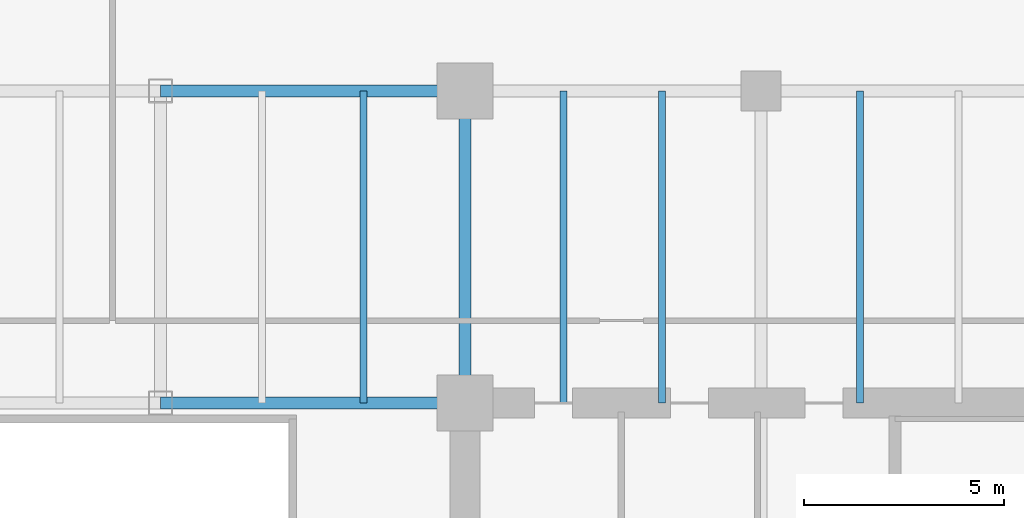
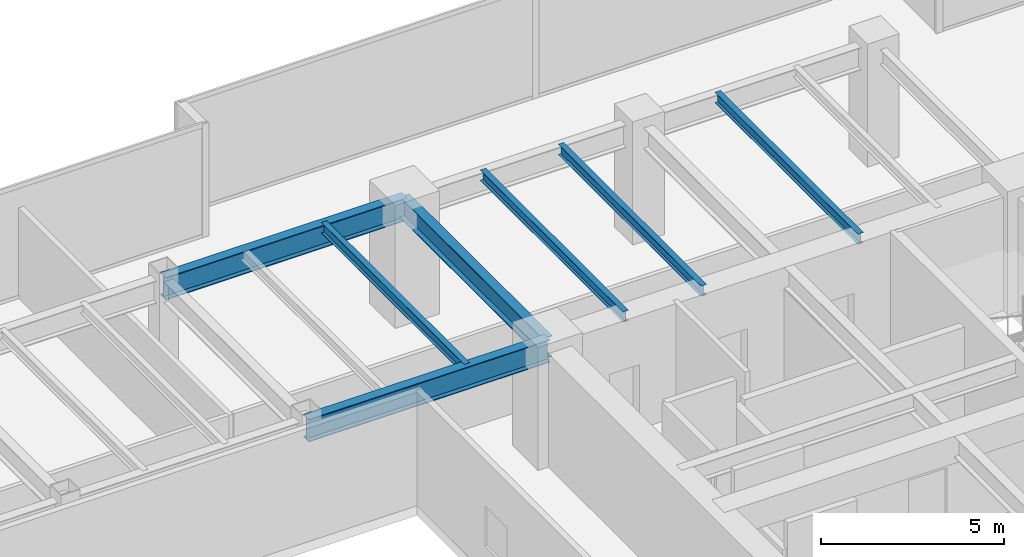
# One storey, part 19 of 35: 7 beams.
"""IFC4 building model written with IfcOpenShell, lengths in metres."""

import ifcopenshell
import ifcopenshell.guid

model = None  # the IFC model being written
_history = None  # IfcOwnerHistory: only IFC2X3 demands one
_inside = {}  # id of a spatial element -> (the spatial element, [elements in it])
_under = {}  # id of a project, library or spatial element -> (it, [spatial elements below it])
_declared = {}  # id of a project -> (the project, [libraries it declares])
_typed = {}  # id of a type object -> (the type object, [elements of that type])
_made_of = {}  # id of a material, layer set ... -> (it, [elements and type objects made of it])


def new_model(schema):
    """Start an empty IFC model of exactly this schema.

    Asked for "IFC4X3", IfcOpenShell would pick the latest addendum, in which some entities
    have other attributes; the version numbers below select the first issue.
    IFC2X3 requires an IfcOwnerHistory on every rooted entity: one is made here for all.
    """
    global model, _history
    if schema == "IFC4X3":
        model = ifcopenshell.file(schema_version=(4, 3, 0, 0))
    else:
        model = ifcopenshell.file(schema=schema)
    _inside.clear()
    _under.clear()
    _declared.clear()
    _typed.clear()
    _made_of.clear()
    _history = None
    if model.schema == "IFC2X3":
        org = make("IfcOrganization", Name="unknown")
        user = make(
            "IfcPersonAndOrganization",
            ThePerson=make("IfcPerson", FamilyName="unknown"),
            TheOrganization=org,
        )
        app = make(
            "IfcApplication",
            ApplicationDeveloper=org,
            Version="unknown",
            ApplicationFullName="unknown",
            ApplicationIdentifier="unknown",
        )
        _history = make(
            "IfcOwnerHistory",
            OwningUser=user,
            OwningApplication=app,
            ChangeAction="ADDED",
            CreationDate=0,
        )
    return model


def make(cls, **values):
    """One entity of the class cls with the attributes given. An attribute that is None is left unset."""
    return model.create_entity(
        cls, **{name: value for name, value in values.items() if value is not None}
    )


def rooted(cls, **values):
    """An entity with a GlobalId (a new one), such as an element, a storey or a relation."""
    return make(cls, GlobalId=ifcopenshell.guid.new(), OwnerHistory=_history, **values)


def si_unit(unit_type, name, prefix=None):
    """IfcSIUnit, for example si_unit("LENGTHUNIT", "METRE", prefix="MILLI")."""
    return make("IfcSIUnit", UnitType=unit_type, Prefix=prefix, Name=name)


def assignment(units):
    """IfcUnitAssignment: the units of a project."""
    return None if units is None else make("IfcUnitAssignment", Units=units)


def point(xyz):
    """IfcCartesianPoint."""
    return None if xyz is None else make("IfcCartesianPoint", Coordinates=xyz)


def direction(xyz):
    """IfcDirection."""
    return None if xyz is None else make("IfcDirection", DirectionRatios=xyz)


def frame(location, z_axis=None, x_axis=None):
    """IfcAxis2Placement3D, a coordinate frame: its origin and axes. An axis left out is left unset."""
    return make(
        "IfcAxis2Placement3D",
        Location=point(location),
        Axis=direction(z_axis),
        RefDirection=direction(x_axis),
    )


def frame_2d(location, x_axis=None):
    """IfcAxis2Placement2D, a coordinate frame in the plane: its origin and x axis."""
    return make(
        "IfcAxis2Placement2D", Location=point(location), RefDirection=direction(x_axis)
    )


def origin():
    """The frame at (0, 0, 0) with its axes left unset."""
    return frame((0.0, 0.0, 0.0))


def origin_2d():
    """The frame at (0, 0) in the plane with its x axis left unset."""
    return frame_2d((0.0, 0.0))


def place(relative_to, where):
    """IfcLocalPlacement: puts the frame where relative to a parent placement (None: the world)."""
    return make(
        "IfcLocalPlacement", PlacementRelTo=relative_to, RelativePlacement=where
    )


def context(
    kind, dimensions, precision=None, world=None, true_north=None, identifier=None
):
    """IfcGeometricRepresentationContext, for example the 3D "Model" context."""
    return make(
        "IfcGeometricRepresentationContext",
        ContextIdentifier=identifier,
        ContextType=kind,
        CoordinateSpaceDimension=dimensions,
        Precision=precision,
        WorldCoordinateSystem=world,
        TrueNorth=true_north,
    )


def subcontext(parent, identifier, kind, view, scale=None):
    """IfcGeometricRepresentationSubContext, for example "Body" below "Model"."""
    return make(
        "IfcGeometricRepresentationSubContext",
        ContextIdentifier=identifier,
        ContextType=kind,
        ParentContext=parent,
        TargetScale=scale,
        TargetView=view,
    )


def project(units=None, contexts=None):
    """IfcProject with its units and contexts."""
    return rooted(
        "IfcProject",
        Name="project",
        RepresentationContexts=contexts,
        UnitsInContext=assignment(units),
    )


def spatial(cls, under=None, at=None, **own):
    """A site, building, storey or space (cls), placed at a placement, below another one or the project."""
    s = rooted(cls, ObjectPlacement=at, **own)
    if under is not None:
        _under.setdefault(under.id(), (under, []))[1].append(s)
    return s


def profile(cls, at=None, kind="AREA", **sizes):
    """A parametric profile (cls). Its sizes go by their IFC names, for example OverallWidth=200.0."""
    return make(cls, ProfileType=kind, Position=at, **sizes)


def i_section(**sizes):
    """IfcIShapeProfileDef."""
    return profile("IfcIShapeProfileDef", **sizes)


def extrude(swept, where, along, depth):
    """IfcExtrudedAreaSolid: the profile swept, set in the frame where, extruded along a direction by depth."""
    return make(
        "IfcExtrudedAreaSolid",
        SweptArea=swept,
        Position=where,
        ExtrudedDirection=direction(along),
        Depth=depth,
    )


def shape(context_of_items, identifier, shape_type, items):
    """IfcShapeRepresentation: the items that make up one representation, for example the "Body"."""
    return make(
        "IfcShapeRepresentation",
        ContextOfItems=context_of_items,
        RepresentationIdentifier=identifier,
        RepresentationType=shape_type,
        Items=items,
    )


def source(mapping_origin, context_of_items, identifier, shape_type, items):
    """IfcRepresentationMap: a shape defined once, which mapped items show again and again."""
    return make(
        "IfcRepresentationMap",
        MappingOrigin=mapping_origin,
        MappedRepresentation=shape(context_of_items, identifier, shape_type, items),
    )


def transform(
    local_origin,
    x_axis=None,
    y_axis=None,
    z_axis=None,
    scale=None,
    scale2=None,
    scale3=None,
    uniform=True,
):
    """IfcCartesianTransformationOperator3D, or its non-uniform kind. x_axis, y_axis, z_axis: its Axis1, 2, 3."""
    if uniform:
        return make(
            "IfcCartesianTransformationOperator3D",
            Axis1=direction(x_axis),
            Axis2=direction(y_axis),
            LocalOrigin=point(local_origin),
            Scale=scale,
            Axis3=direction(z_axis),
        )
    return make(
        "IfcCartesianTransformationOperator3DnonUniform",
        Axis1=direction(x_axis),
        Axis2=direction(y_axis),
        LocalOrigin=point(local_origin),
        Scale=scale,
        Axis3=direction(z_axis),
        Scale2=scale2,
        Scale3=scale3,
    )


def mapped(mapping_source, mapping_target):
    """IfcMappedItem: shows the shape of a source again, moved by a transform."""
    return make(
        "IfcMappedItem", MappingSource=mapping_source, MappingTarget=mapping_target
    )


def material(Name=None, Category=None):
    """IfcMaterial."""
    return make("IfcMaterial", Name=Name, Category=Category)


def material_profile(
    of_material, cross_section, Name=None, Category=None, Priority=None
):
    """IfcMaterialProfile: a cross section and its material."""
    return make(
        "IfcMaterialProfile",
        Name=Name,
        Material=of_material,
        Profile=cross_section,
        Priority=Priority,
        Category=Category,
    )


def profile_set(profiles, Name=None, composite=None):
    """IfcMaterialProfileSet."""
    return make(
        "IfcMaterialProfileSet",
        Name=Name,
        MaterialProfiles=profiles,
        CompositeProfile=composite,
    )


def made_of(thing, what):
    """Note that an element or type object is made of a material, layer set ...; save() writes the relation."""
    if what is not None:
        _made_of.setdefault(what.id(), (what, []))[1].append(thing)
    return thing


def type_object(cls, material=None, **own):
    """A type object (cls), such as IfcWallType, which elements share."""
    return made_of(rooted(cls, **own), material)


def type_shapes(of_type, sources):
    """Give a type object the sources (RepresentationMaps) that its elements show as mapped items."""
    of_type.RepresentationMaps = sources


def element(
    cls,
    number,
    at=None,
    inside=None,
    cuts=None,
    type_object=None,
    material=None,
    context=None,
    identifier="Body",
    shape_type=None,
    held_by="IfcProductDefinitionShape",
    body=None,
    shapes=None,
    **own,
):
    """One element of the class cls, such as IfcWall. Its Tag is "e" and its number.

    at: its placement. inside: the storey or other place that contains it. cuts: it is an
    opening in that element (IfcRelVoidsElement). A single representation is given by context,
    identifier, shape_type and body (its items); several are given by shapes. held_by: the class
    of the entity that holds the representations. save() writes the other relations.
    """
    e = rooted(cls, Tag="e%d" % number, ObjectPlacement=at, **own)
    if body is not None:
        shapes = [shape(context, identifier, shape_type, body)]
    if shapes is not None:
        e.Representation = make(held_by, Representations=shapes)
    if inside is not None:
        _inside.setdefault(inside.id(), (inside, []))[1].append(e)
    if cuts is not None:
        rooted(
            "IfcRelVoidsElement", RelatingBuildingElement=cuts, RelatedOpeningElement=e
        )
    if type_object is not None:
        _typed.setdefault(type_object.id(), (type_object, []))[1].append(e)
    return made_of(e, material)


def aggregate(whole, parts):
    """IfcRelAggregates: a whole, such as a stair, and the parts it consists of."""
    return rooted("IfcRelAggregates", RelatingObject=whole, RelatedObjects=parts)


def save(model, path):
    """Write the relations noted so far, then the file.

    IfcRelAggregates (storeys below a building ...), IfcRelContainedInSpatialStructure (elements
    in a storey), IfcRelDefinesByType, IfcRelAssociatesMaterial and IfcRelDeclares: one each for
    every whole, place, type object, material and project.
    """
    for whole, parts in _under.values():
        aggregate(whole, parts)
    for where, things in _inside.values():
        rooted(
            "IfcRelContainedInSpatialStructure",
            RelatedElements=things,
            RelatingStructure=where,
        )
    for kind, things in _typed.values():
        rooted("IfcRelDefinesByType", RelatedObjects=things, RelatingType=kind)
    for what, things in _made_of.values():
        rooted("IfcRelAssociatesMaterial", RelatedObjects=things, RelatingMaterial=what)
    for by, libraries in _declared.values():
        rooted("IfcRelDeclares", RelatingContext=by, RelatedDefinitions=libraries)
    model.write(path)


model = new_model("IFC4")

# Units and contexts
model_context = context("Model", 3, precision=1e-05, world=origin(), true_north=direction((0.0, 1.0)))
body_context = subcontext(model_context, "Body", "Model", "MODEL_VIEW")
ifc_project = project(units=[si_unit("LENGTHUNIT", "METRE"), si_unit("AREAUNIT", "SQUARE_METRE"), si_unit("VOLUMEUNIT", "CUBIC_METRE"), si_unit("PLANEANGLEUNIT", "RADIAN"), si_unit("MASSUNIT", "GRAM", prefix="KILO")], contexts=[model_context])

# Site, building, storey
site_placement = place(None, origin())
site = spatial("IfcSite", under=ifc_project, at=site_placement, CompositionType="ELEMENT")
building_placement = place(site_placement, origin())
building = spatial("IfcBuilding", under=site, at=building_placement, Name="Haelvirn Gate Laboratories", CompositionType="ELEMENT")
storey_placement = place(building_placement, frame((0.0, 0.0, 45.699951171875)))
storey = spatial("IfcBuildingStorey", under=building, at=storey_placement, Name="L11", CompositionType="ELEMENT", Elevation=45.699951171875)

# Beams
ifc_material = material(Name="Steel SM355", Category="steel")
ifc_material_profile_1 = material_profile(ifc_material, i_section(OverallWidth=0.300048828125, OverallDepth=0.699951171875, WebThickness=0.012939453125, FlangeThickness=0.02392578125, at=origin_2d()), Name="H-700x300x13x24")
ifc_profile_set_1 = profile_set([ifc_material_profile_1], Name="Steel SM355")
beam_type_1 = type_object("IfcBeamType", Name="BM-G-700", PredefinedType="BEAM", material=ifc_profile_set_1)
shared_shape_1 = source(origin(), body_context, "Body", "SweptSolid", [
    extrude(i_section(OverallWidth=0.300048828125, OverallDepth=0.699951171875, WebThickness=0.012939453125, FlangeThickness=0.02392578125, at=origin_2d()), origin(), (0.0, 0.0, 1.0), 7.800048828125),
])
type_shapes(beam_type_1, [shared_shape_1])
beam_placement = place(storey_placement, frame((52.60009765625, 33.800048828125, 3.429931640625), z_axis=(0.0, 1.0, 0.0), x_axis=(-1.0, 0.0, 0.0)))
element("IfcBeam", 1, at=beam_placement, inside=storey, type_object=beam_type_1, Name="L11 Frame Girder X52.6 (33.8-41.6)", PredefinedType="BEAM", context=body_context, shape_type="MappedRepresentation", body=[
    mapped(shared_shape_1, transform((0.0, 0.0, 0.0), scale=1.0)),
])
ifc_material_profile_2 = material_profile(ifc_material, i_section(OverallWidth=0.300048828125, OverallDepth=0.75, WebThickness=0.013916015625, FlangeThickness=0.02392578125, at=origin_2d()), Name="H-750x300x14x24")
ifc_profile_set_2 = profile_set([ifc_material_profile_2], Name="Steel SM355")
beam_type_2 = type_object("IfcBeamType", Name="BM-G-750", PredefinedType="BEAM", material=ifc_profile_set_2)
shared_shape_2 = source(origin(), body_context, "Body", "SweptSolid", [
    extrude(i_section(OverallWidth=0.300048828125, OverallDepth=0.75, WebThickness=0.013916015625, FlangeThickness=0.02392578125, at=origin_2d()), origin(), (0.0, 0.0, 1.0), 7.60009765625),
])
type_shapes(beam_type_2, [shared_shape_2])
for number, where, z_axis, x_axis, name in (
    (2, (45.0, 33.800048828125, 3.405029296875), (1.0, 0.0, 0.0), (0.0, 1.0, 0.0), "L11 Primary Girder Y33.8 (45.0-52.6)"),
    (3, (45.0, 41.60009765625, 3.405029296875), (1.0, 0.0, 0.0), (0.0, 1.0, 0.0), "L11 Primary Girder Y41.6 (45.0-52.6)"),
):
    element("IfcBeam", number, at=place(storey_placement, frame(where, z_axis=z_axis, x_axis=x_axis)), inside=storey, type_object=beam_type_2, Name=name, PredefinedType="BEAM", context=body_context, shape_type="MappedRepresentation", body=[
        mapped(shared_shape_2, transform((0.0, 0.0, 0.0), scale=1.0)),
    ])
ifc_material_profile_3 = material_profile(ifc_material, i_section(OverallWidth=0.175048828125, OverallDepth=0.35009765625, WebThickness=0.007080078125, FlangeThickness=0.010986328125, at=origin_2d()), Name="H-350x175x7x11")
ifc_profile_set_3 = profile_set([ifc_material_profile_3], Name="Steel SM355")
beam_type_3 = type_object("IfcBeamType", Name="BM-J-350", PredefinedType="JOIST", material=ifc_profile_set_3)
shared_shape_3 = source(origin(), body_context, "Body", "SweptSolid", [
    extrude(i_section(OverallWidth=0.175048828125, OverallDepth=0.35009765625, WebThickness=0.007080078125, FlangeThickness=0.010986328125, at=origin_2d()), origin(), (0.0, 0.0, 1.0), 7.800048828125),
])
type_shapes(beam_type_3, [shared_shape_3])
for number, where, z_axis, x_axis, name in (
    (4, (50.070068359375, 33.800048828125, 3.60498046875), (0.0, 1.0, 0.0), (-1.0, 0.0, 0.0), "L11 Composite Lab Joist North X50.07"),
    (5, (55.070068359375, 33.800048828125, 3.60498046875), (0.0, 1.0, 0.0), (-1.0, 0.0, 0.0), "L11 Composite Lab Joist North X55.07"),
    (6, (57.530029296875, 33.800048828125, 3.60498046875), (0.0, 1.0, 0.0), (-1.0, 0.0, 0.0), "L11 Composite Lab Joist North X57.53"),
    (7, (62.469970703125, 33.800048828125, 3.60498046875), (0.0, 1.0, 0.0), (-1.0, 0.0, 0.0), "L11 Composite Lab Joist North X62.47"),
):
    element("IfcBeam", number, at=place(storey_placement, frame(where, z_axis=z_axis, x_axis=x_axis)), inside=storey, type_object=beam_type_3, Name=name, PredefinedType="JOIST", context=body_context, shape_type="MappedRepresentation", body=[
        mapped(shared_shape_3, transform((0.0, 0.0, 0.0), scale=1.0)),
    ])

save(model, "model.ifc")
